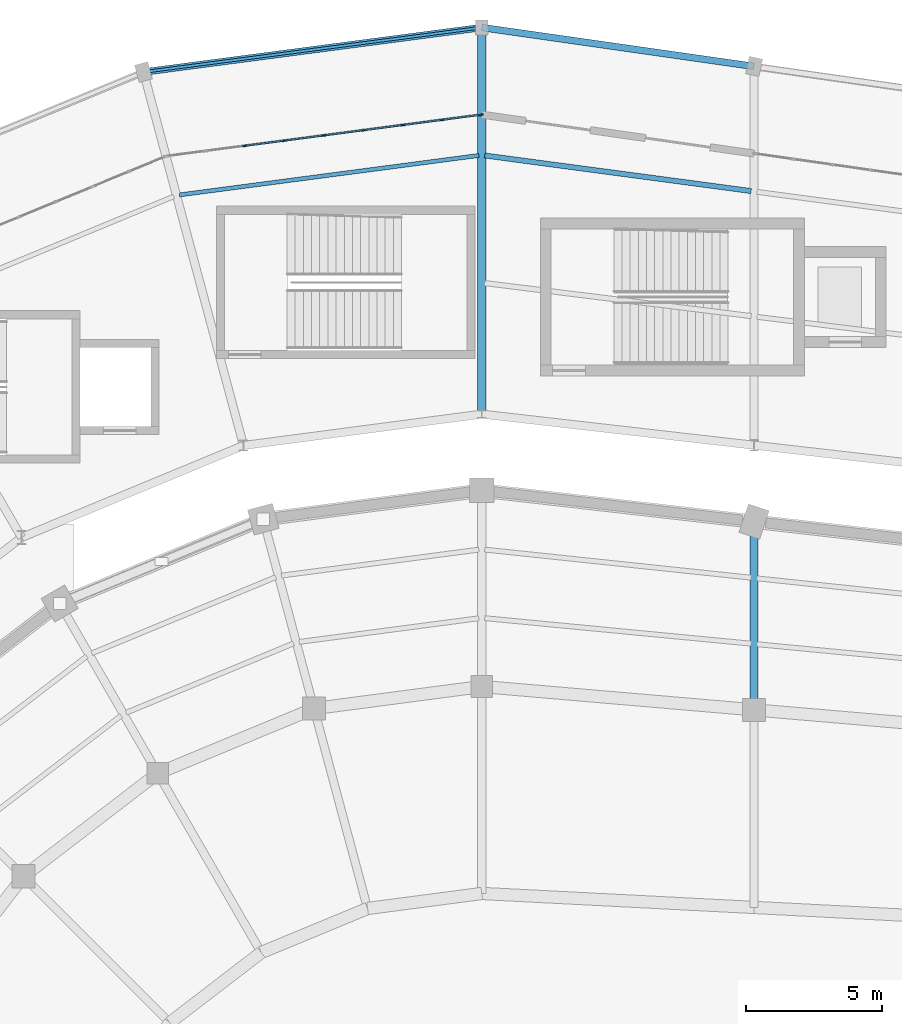
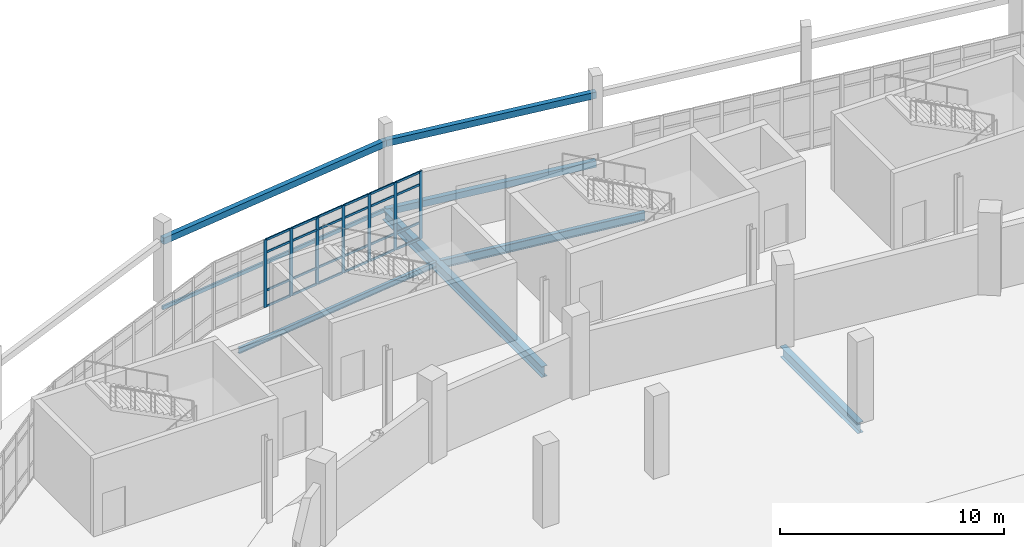
# One storey, part 58 of 122: 31 members, 8 beams, 1 element without a shape of its own.
"""IFC4 building model written with IfcOpenShell, lengths in metres."""

from ifc_helpers import new_model, si_unit, direction, frame, origin, origin_2d, place, context, subcontext, project, spatial, rectangle, hollow_rectangle, i_section, extrude, material, layer, layer_set, material_profile, profile_set, type_object, element, aggregate, save


model = new_model("IFC4")

# Units and contexts
model_context = context("Model", 3, precision=1e-05, world=origin(), true_north=direction((0.0, 1.0)))
body_context = subcontext(model_context, "Body", "Model", "MODEL_VIEW")
ifc_project = project(units=[si_unit("LENGTHUNIT", "METRE"), si_unit("AREAUNIT", "SQUARE_METRE"), si_unit("VOLUMEUNIT", "CUBIC_METRE"), si_unit("PLANEANGLEUNIT", "RADIAN"), si_unit("MASSUNIT", "GRAM", prefix="KILO")], contexts=[model_context])

# Site, building, storey
site_placement = place(None, origin())
site = spatial("IfcSite", under=ifc_project, at=site_placement, CompositionType="ELEMENT")
building_placement = place(site_placement, origin())
building = spatial("IfcBuilding", under=site, at=building_placement, Name="Sohan Crest Arena", CompositionType="ELEMENT")
storey_placement = place(building_placement, origin())
storey = spatial("IfcBuildingStorey", under=building, at=storey_placement, Name="L00", CompositionType="ELEMENT", Elevation=0.0)

# Curtain wall, members
ifc_material_1 = material(Name="Thermally broken anodised aluminium", Category="aluminium")
ifc_layer = layer(ifc_material_1, 0.179931640625, Name="Thermally broken anodised aluminium")
ifc_layer_set = layer_set([ifc_layer], Name="Thermally broken anodised aluminium")
curtain_wall_type = type_object("IfcCurtainWallType", Name="ARC-CW01", PredefinedType="NOTDEFINED", material=ifc_layer_set)
curtain_wall_placement = place(storey_placement, origin())
curtain_wall = element("IfcCurtainWall", 1, at=curtain_wall_placement, inside=storey, type_object=curtain_wall_type, Name="Unitised curtain wall CW-001", PredefinedType="NOTDEFINED")
ifc_material_profile_1 = material_profile(ifc_material_1, rectangle(XDim=0.06005859375, YDim=0.159912109375, at=origin_2d()), Name="ALU-MULL 60x160")
ifc_profile_set_1 = profile_set([ifc_material_profile_1], Name="Thermally broken anodised aluminium")
member_type_1 = type_object("IfcMemberType", Name="ARC-CW-ML01", PredefinedType="MULLION", material=ifc_profile_set_1)
member_1_placement = place(storey_placement, frame((97.97021484375, 122.796142578125, 0.0), z_axis=(0.0, 0.0, 1.0), x_axis=(0.13056731648, -0.991439446395, 0.0)))
member_1 = element("IfcMember", 2, at=member_1_placement, type_object=member_type_1, Name="CW-001 mullion 1", PredefinedType="MULLION", context=body_context, shape_type="SweptSolid", body=[
    extrude(rectangle(XDim=0.06005859375, YDim=0.159912109375, at=origin_2d()), origin(), (0.0, 0.0, 1.0), 3.679931640625),
])
member_2_placement = place(storey_placement, frame((96.550537109375, 122.609130859375, 0.0), z_axis=(0.0, 0.0, 1.0), x_axis=(0.13056731648, -0.991439446395, 0.0)))
member_2 = element("IfcMember", 3, at=member_2_placement, type_object=member_type_1, Name="CW-001 mullion 2", PredefinedType="MULLION", context=body_context, shape_type="SweptSolid", body=[
    extrude(rectangle(XDim=0.06005859375, YDim=0.159912109375, at=origin_2d()), origin(), (0.0, 0.0, 1.0), 3.679931640625),
])
member_3_placement = place(storey_placement, frame((95.101318359375, 122.418212890625, 0.0), z_axis=(0.0, 0.0, 1.0), x_axis=(0.13056731648, -0.991439446395, 0.0)))
member_3 = element("IfcMember", 4, at=member_3_placement, type_object=member_type_1, Name="CW-001 mullion 3", PredefinedType="MULLION", context=body_context, shape_type="SweptSolid", body=[
    extrude(rectangle(XDim=0.06005859375, YDim=0.159912109375, at=origin_2d()), origin(), (0.0, 0.0, 1.0), 3.679931640625),
])
member_4_placement = place(storey_placement, frame((93.65185546875, 122.227294921875, 0.0), z_axis=(0.0, 0.0, 1.0), x_axis=(0.13056731648, -0.991439446395, 0.0)))
member_4 = element("IfcMember", 5, at=member_4_placement, type_object=member_type_1, Name="CW-001 mullion 4", PredefinedType="MULLION", context=body_context, shape_type="SweptSolid", body=[
    extrude(rectangle(XDim=0.06005859375, YDim=0.159912109375, at=origin_2d()), origin(), (0.0, 0.0, 1.0), 3.679931640625),
])
member_5_placement = place(storey_placement, frame((92.202392578125, 122.03662109375, 0.0), z_axis=(0.0, 0.0, 1.0), x_axis=(0.13056731648, -0.991439446395, 0.0)))
member_5 = element("IfcMember", 6, at=member_5_placement, type_object=member_type_1, Name="CW-001 mullion 5", PredefinedType="MULLION", context=body_context, shape_type="SweptSolid", body=[
    extrude(rectangle(XDim=0.06005859375, YDim=0.159912109375, at=origin_2d()), origin(), (0.0, 0.0, 1.0), 3.679931640625),
])
member_6_placement = place(storey_placement, frame((90.753173828125, 121.845703125, 0.0), z_axis=(0.0, 0.0, 1.0), x_axis=(0.13056731648, -0.991439446395, 0.0)))
member_6 = element("IfcMember", 7, at=member_6_placement, type_object=member_type_1, Name="CW-001 mullion 6", PredefinedType="MULLION", context=body_context, shape_type="SweptSolid", body=[
    extrude(rectangle(XDim=0.06005859375, YDim=0.159912109375, at=origin_2d()), origin(), (0.0, 0.0, 1.0), 3.679931640625),
])
member_7_placement = place(storey_placement, frame((89.3037109375, 121.65478515625, 0.0), z_axis=(0.0, 0.0, 1.0), x_axis=(0.13056731648, -0.991439446395, 0.0)))
member_7 = element("IfcMember", 8, at=member_7_placement, type_object=member_type_1, Name="CW-001 mullion 7", PredefinedType="MULLION", context=body_context, shape_type="SweptSolid", body=[
    extrude(rectangle(XDim=0.06005859375, YDim=0.159912109375, at=origin_2d()), origin(), (0.0, 0.0, 1.0), 3.679931640625),
])
ifc_material_profile_2 = material_profile(ifc_material_1, rectangle(XDim=0.06005859375, YDim=0.1201171875, at=origin_2d()), Name="ALU-TRAN 60x120")
ifc_profile_set_2 = profile_set([ifc_material_profile_2], Name="Thermally broken anodised aluminium")
member_type_2 = type_object("IfcMemberType", Name="ARC-CW-TR01", PredefinedType="USERDEFINED", material=ifc_profile_set_2)
member_8_placement = place(storey_placement, frame((97.9404296875, 122.792236328125, 0.030029296875), z_axis=(-0.991431868961, -0.130624841468, 0.0), x_axis=(0.130624841468, -0.991431868961, 0.0)))
member_8 = element("IfcMember", 9, at=member_8_placement, type_object=member_type_2, Name="CW-001 transom 1.1", ObjectType="TRANSOM", PredefinedType="USERDEFINED", context=body_context, shape_type="SweptSolid", body=[
    extrude(rectangle(XDim=0.06005859375, YDim=0.1201171875, at=origin_2d()), origin(), (0.0, 0.0, 1.0), 1.371826171875),
])
member_9_placement = place(storey_placement, frame((97.9404296875, 122.792236328125, 0.89990234375), z_axis=(-0.991431868961, -0.130624841468, 0.0), x_axis=(0.130624841468, -0.991431868961, 0.0)))
member_9 = element("IfcMember", 10, at=member_9_placement, type_object=member_type_2, Name="CW-001 transom 1.2", ObjectType="TRANSOM", PredefinedType="USERDEFINED", context=body_context, shape_type="SweptSolid", body=[
    extrude(rectangle(XDim=0.06005859375, YDim=0.1201171875, at=origin_2d()), origin(), (0.0, 0.0, 1.0), 1.371826171875),
])
member_10_placement = place(storey_placement, frame((97.9404296875, 122.792236328125, 2.97998046875), z_axis=(-0.991431868961, -0.130624841468, 0.0), x_axis=(0.130624841468, -0.991431868961, 0.0)))
member_10 = element("IfcMember", 11, at=member_10_placement, type_object=member_type_2, Name="CW-001 transom 1.3", ObjectType="TRANSOM", PredefinedType="USERDEFINED", context=body_context, shape_type="SweptSolid", body=[
    extrude(rectangle(XDim=0.06005859375, YDim=0.1201171875, at=origin_2d()), origin(), (0.0, 0.0, 1.0), 1.371826171875),
])
member_11_placement = place(storey_placement, frame((97.9404296875, 122.792236328125, 3.64990234375), z_axis=(-0.991431868961, -0.130624841468, 0.0), x_axis=(0.130624841468, -0.991431868961, 0.0)))
member_11 = element("IfcMember", 12, at=member_11_placement, type_object=member_type_2, Name="CW-001 transom 1.4", ObjectType="TRANSOM", PredefinedType="USERDEFINED", context=body_context, shape_type="SweptSolid", body=[
    extrude(rectangle(XDim=0.06005859375, YDim=0.1201171875, at=origin_2d()), origin(), (0.0, 0.0, 1.0), 1.371826171875),
])
member_12_placement = place(storey_placement, frame((96.52099609375, 122.605224609375, 0.030029296875), z_axis=(-0.9914335368, -0.130612182083, 0.0), x_axis=(0.130612182083, -0.9914335368, 0.0)))
member_12 = element("IfcMember", 13, at=member_12_placement, type_object=member_type_2, Name="CW-001 transom 2.1", ObjectType="TRANSOM", PredefinedType="USERDEFINED", context=body_context, shape_type="SweptSolid", body=[
    extrude(rectangle(XDim=0.06005859375, YDim=0.1201171875, at=origin_2d()), origin(), (0.0, 0.0, 1.0), 1.40185546875),
])
member_13_placement = place(storey_placement, frame((96.52099609375, 122.605224609375, 0.89990234375), z_axis=(-0.9914335368, -0.130612182083, 0.0), x_axis=(0.130612182083, -0.9914335368, 0.0)))
member_13 = element("IfcMember", 14, at=member_13_placement, type_object=member_type_2, Name="CW-001 transom 2.2", ObjectType="TRANSOM", PredefinedType="USERDEFINED", context=body_context, shape_type="SweptSolid", body=[
    extrude(rectangle(XDim=0.06005859375, YDim=0.1201171875, at=origin_2d()), origin(), (0.0, 0.0, 1.0), 1.40185546875),
])
member_14_placement = place(storey_placement, frame((96.52099609375, 122.605224609375, 2.97998046875), z_axis=(-0.9914335368, -0.130612182083, 0.0), x_axis=(0.130612182083, -0.9914335368, 0.0)))
member_14 = element("IfcMember", 15, at=member_14_placement, type_object=member_type_2, Name="CW-001 transom 2.3", ObjectType="TRANSOM", PredefinedType="USERDEFINED", context=body_context, shape_type="SweptSolid", body=[
    extrude(rectangle(XDim=0.06005859375, YDim=0.1201171875, at=origin_2d()), origin(), (0.0, 0.0, 1.0), 1.40185546875),
])
member_15_placement = place(storey_placement, frame((96.52099609375, 122.605224609375, 3.64990234375), z_axis=(-0.9914335368, -0.130612182083, 0.0), x_axis=(0.130612182083, -0.9914335368, 0.0)))
member_15 = element("IfcMember", 16, at=member_15_placement, type_object=member_type_2, Name="CW-001 transom 2.4", ObjectType="TRANSOM", PredefinedType="USERDEFINED", context=body_context, shape_type="SweptSolid", body=[
    extrude(rectangle(XDim=0.06005859375, YDim=0.1201171875, at=origin_2d()), origin(), (0.0, 0.0, 1.0), 1.40185546875),
])
member_16_placement = place(storey_placement, frame((95.071533203125, 122.414306640625, 0.030029296875), z_axis=(-0.9914335368, -0.130612182083, 0.0), x_axis=(0.130612182083, -0.9914335368, 0.0)))
member_16 = element("IfcMember", 17, at=member_16_placement, type_object=member_type_2, Name="CW-001 transom 3.1", ObjectType="TRANSOM", PredefinedType="USERDEFINED", context=body_context, shape_type="SweptSolid", body=[
    extrude(rectangle(XDim=0.06005859375, YDim=0.1201171875, at=origin_2d()), origin(), (0.0, 0.0, 1.0), 1.40185546875),
])
member_17_placement = place(storey_placement, frame((95.071533203125, 122.414306640625, 0.89990234375), z_axis=(-0.9914335368, -0.130612182083, 0.0), x_axis=(0.130612182083, -0.9914335368, 0.0)))
member_17 = element("IfcMember", 18, at=member_17_placement, type_object=member_type_2, Name="CW-001 transom 3.2", ObjectType="TRANSOM", PredefinedType="USERDEFINED", context=body_context, shape_type="SweptSolid", body=[
    extrude(rectangle(XDim=0.06005859375, YDim=0.1201171875, at=origin_2d()), origin(), (0.0, 0.0, 1.0), 1.40185546875),
])
member_18_placement = place(storey_placement, frame((95.071533203125, 122.414306640625, 2.97998046875), z_axis=(-0.9914335368, -0.130612182083, 0.0), x_axis=(0.130612182083, -0.9914335368, 0.0)))
member_18 = element("IfcMember", 19, at=member_18_placement, type_object=member_type_2, Name="CW-001 transom 3.3", ObjectType="TRANSOM", PredefinedType="USERDEFINED", context=body_context, shape_type="SweptSolid", body=[
    extrude(rectangle(XDim=0.06005859375, YDim=0.1201171875, at=origin_2d()), origin(), (0.0, 0.0, 1.0), 1.40185546875),
])
member_19_placement = place(storey_placement, frame((95.071533203125, 122.414306640625, 3.64990234375), z_axis=(-0.9914335368, -0.130612182083, 0.0), x_axis=(0.130612182083, -0.9914335368, 0.0)))
member_19 = element("IfcMember", 20, at=member_19_placement, type_object=member_type_2, Name="CW-001 transom 3.4", ObjectType="TRANSOM", PredefinedType="USERDEFINED", context=body_context, shape_type="SweptSolid", body=[
    extrude(rectangle(XDim=0.06005859375, YDim=0.1201171875, at=origin_2d()), origin(), (0.0, 0.0, 1.0), 1.40185546875),
])
member_20_placement = place(storey_placement, frame((93.6220703125, 122.223388671875, 0.030029296875), z_axis=(-0.991456073737, -0.130440997581, 0.0), x_axis=(0.130440997581, -0.991456073737, 0.0)))
member_20 = element("IfcMember", 21, at=member_20_placement, type_object=member_type_2, Name="CW-001 transom 4.1", ObjectType="TRANSOM", PredefinedType="USERDEFINED", context=body_context, shape_type="SweptSolid", body=[
    extrude(rectangle(XDim=0.06005859375, YDim=0.1201171875, at=origin_2d()), origin(), (0.0, 0.0, 1.0), 1.40185546875),
])
member_21_placement = place(storey_placement, frame((93.6220703125, 122.223388671875, 0.89990234375), z_axis=(-0.991456073737, -0.130440997581, 0.0), x_axis=(0.130440997581, -0.991456073737, 0.0)))
member_21 = element("IfcMember", 22, at=member_21_placement, type_object=member_type_2, Name="CW-001 transom 4.2", ObjectType="TRANSOM", PredefinedType="USERDEFINED", context=body_context, shape_type="SweptSolid", body=[
    extrude(rectangle(XDim=0.06005859375, YDim=0.1201171875, at=origin_2d()), origin(), (0.0, 0.0, 1.0), 1.40185546875),
])
member_22_placement = place(storey_placement, frame((93.6220703125, 122.223388671875, 2.97998046875), z_axis=(-0.991456073737, -0.130440997581, 0.0), x_axis=(0.130440997581, -0.991456073737, 0.0)))
member_22 = element("IfcMember", 23, at=member_22_placement, type_object=member_type_2, Name="CW-001 transom 4.3", ObjectType="TRANSOM", PredefinedType="USERDEFINED", context=body_context, shape_type="SweptSolid", body=[
    extrude(rectangle(XDim=0.06005859375, YDim=0.1201171875, at=origin_2d()), origin(), (0.0, 0.0, 1.0), 1.40185546875),
])
member_23_placement = place(storey_placement, frame((93.6220703125, 122.223388671875, 3.64990234375), z_axis=(-0.991456073737, -0.130440997581, 0.0), x_axis=(0.130440997581, -0.991456073737, 0.0)))
member_23 = element("IfcMember", 24, at=member_23_placement, type_object=member_type_2, Name="CW-001 transom 4.4", ObjectType="TRANSOM", PredefinedType="USERDEFINED", context=body_context, shape_type="SweptSolid", body=[
    extrude(rectangle(XDim=0.06005859375, YDim=0.1201171875, at=origin_2d()), origin(), (0.0, 0.0, 1.0), 1.40185546875),
])
member_24_placement = place(storey_placement, frame((92.1728515625, 122.032470703125, 0.030029296875), z_axis=(-0.991456073737, -0.130440997581, 0.0), x_axis=(0.130440997581, -0.991456073737, 0.0)))
member_24 = element("IfcMember", 25, at=member_24_placement, type_object=member_type_2, Name="CW-001 transom 5.1", ObjectType="TRANSOM", PredefinedType="USERDEFINED", context=body_context, shape_type="SweptSolid", body=[
    extrude(rectangle(XDim=0.06005859375, YDim=0.1201171875, at=origin_2d()), origin(), (0.0, 0.0, 1.0), 1.40185546875),
])
member_25_placement = place(storey_placement, frame((92.1728515625, 122.032470703125, 0.89990234375), z_axis=(-0.991456073737, -0.130440997581, 0.0), x_axis=(0.130440997581, -0.991456073737, 0.0)))
member_25 = element("IfcMember", 26, at=member_25_placement, type_object=member_type_2, Name="CW-001 transom 5.2", ObjectType="TRANSOM", PredefinedType="USERDEFINED", context=body_context, shape_type="SweptSolid", body=[
    extrude(rectangle(XDim=0.06005859375, YDim=0.1201171875, at=origin_2d()), origin(), (0.0, 0.0, 1.0), 1.40185546875),
])
member_26_placement = place(storey_placement, frame((92.1728515625, 122.032470703125, 2.97998046875), z_axis=(-0.991456073737, -0.130440997581, 0.0), x_axis=(0.130440997581, -0.991456073737, 0.0)))
member_26 = element("IfcMember", 27, at=member_26_placement, type_object=member_type_2, Name="CW-001 transom 5.3", ObjectType="TRANSOM", PredefinedType="USERDEFINED", context=body_context, shape_type="SweptSolid", body=[
    extrude(rectangle(XDim=0.06005859375, YDim=0.1201171875, at=origin_2d()), origin(), (0.0, 0.0, 1.0), 1.40185546875),
])
member_27_placement = place(storey_placement, frame((92.1728515625, 122.032470703125, 3.64990234375), z_axis=(-0.991456073737, -0.130440997581, 0.0), x_axis=(0.130440997581, -0.991456073737, 0.0)))
member_27 = element("IfcMember", 28, at=member_27_placement, type_object=member_type_2, Name="CW-001 transom 5.4", ObjectType="TRANSOM", PredefinedType="USERDEFINED", context=body_context, shape_type="SweptSolid", body=[
    extrude(rectangle(XDim=0.06005859375, YDim=0.1201171875, at=origin_2d()), origin(), (0.0, 0.0, 1.0), 1.40185546875),
])
member_28_placement = place(storey_placement, frame((90.723388671875, 121.841796875, 0.030029296875), z_axis=(-0.9914335368, -0.130612182083, 0.0), x_axis=(0.130612182083, -0.9914335368, 0.0)))
member_28 = element("IfcMember", 29, at=member_28_placement, type_object=member_type_2, Name="CW-001 transom 6.1", ObjectType="TRANSOM", PredefinedType="USERDEFINED", context=body_context, shape_type="SweptSolid", body=[
    extrude(rectangle(XDim=0.06005859375, YDim=0.1201171875, at=origin_2d()), origin(), (0.0, 0.0, 1.0), 1.40185546875),
])
member_29_placement = place(storey_placement, frame((90.723388671875, 121.841796875, 0.89990234375), z_axis=(-0.9914335368, -0.130612182083, 0.0), x_axis=(0.130612182083, -0.9914335368, 0.0)))
member_29 = element("IfcMember", 30, at=member_29_placement, type_object=member_type_2, Name="CW-001 transom 6.2", ObjectType="TRANSOM", PredefinedType="USERDEFINED", context=body_context, shape_type="SweptSolid", body=[
    extrude(rectangle(XDim=0.06005859375, YDim=0.1201171875, at=origin_2d()), origin(), (0.0, 0.0, 1.0), 1.40185546875),
])
member_30_placement = place(storey_placement, frame((90.723388671875, 121.841796875, 2.97998046875), z_axis=(-0.9914335368, -0.130612182083, 0.0), x_axis=(0.130612182083, -0.9914335368, 0.0)))
member_30 = element("IfcMember", 31, at=member_30_placement, type_object=member_type_2, Name="CW-001 transom 6.3", ObjectType="TRANSOM", PredefinedType="USERDEFINED", context=body_context, shape_type="SweptSolid", body=[
    extrude(rectangle(XDim=0.06005859375, YDim=0.1201171875, at=origin_2d()), origin(), (0.0, 0.0, 1.0), 1.40185546875),
])
member_31_placement = place(storey_placement, frame((90.723388671875, 121.841796875, 3.64990234375), z_axis=(-0.9914335368, -0.130612182083, 0.0), x_axis=(0.130612182083, -0.9914335368, 0.0)))
member_31 = element("IfcMember", 32, at=member_31_placement, type_object=member_type_2, Name="CW-001 transom 6.4", ObjectType="TRANSOM", PredefinedType="USERDEFINED", context=body_context, shape_type="SweptSolid", body=[
    extrude(rectangle(XDim=0.06005859375, YDim=0.1201171875, at=origin_2d()), origin(), (0.0, 0.0, 1.0), 1.40185546875),
])
aggregate(curtain_wall, [member_1, member_2, member_3, member_4, member_5, member_6, member_7, member_8, member_9, member_10, member_11, member_12, member_13, member_14, member_15, member_16, member_17, member_18, member_19, member_20, member_21, member_22, member_23, member_24, member_25, member_26, member_27, member_28, member_29, member_30, member_31])

# Beams
ifc_material_2 = material(Name="Steel S355", Category="steel")
ifc_material_profile_3 = material_profile(ifc_material_2, i_section(OverallWidth=0.14990234375, OverallDepth=0.300048828125, WebThickness=0.007080078125, FlangeThickness=0.0107421875, at=origin_2d()), Name="IPE 300")
ifc_profile_set_3 = profile_set([ifc_material_profile_3], Name="Steel S355")
beam_type_1 = type_object("IfcBeamType", Name="STR-BM-B01", PredefinedType="JOIST", material=ifc_profile_set_3)
beam_1_placement = place(storey_placement, frame((97.89111328125, 121.300048828125, -0.425048828125), z_axis=(-0.991434947697, -0.130601471988, 0.0), x_axis=(0.130601471988, -0.991434947697, 0.0)))
element("IfcBeam", 33, at=beam_1_placement, inside=storey, type_object=beam_type_1, Name="Structural beam J-L00-0905", PredefinedType="JOIST", context=body_context, shape_type="SweptSolid", body=[
    extrude(i_section(OverallWidth=0.14990234375, OverallDepth=0.300048828125, WebThickness=0.007080078125, FlangeThickness=0.0107421875, at=origin_2d()), origin(), (0.0, 0.0, 1.0), 11.087158203125),
])
ifc_material_profile_4 = material_profile(ifc_material_2, i_section(OverallWidth=0.18994140625, OverallDepth=0.449951171875, WebThickness=0.009521484375, FlangeThickness=0.0146484375, at=origin_2d()), Name="IPE 450")
ifc_profile_set_4 = profile_set([ifc_material_profile_4], Name="Steel S355")
beam_type_2 = type_object("IfcBeamType", Name="STR-BM-B04", PredefinedType="JOIST", material=ifc_profile_set_4)
beam_2_placement = place(storey_placement, frame((107.89111328125, 119.993896484375, -0.5), z_axis=(-0.991216229825, 0.132251222039, 0.0), x_axis=(-0.132251222039, -0.991216229825, 0.0)))
element("IfcBeam", 34, at=beam_2_placement, inside=storey, type_object=beam_type_2, Name="Structural beam J-L00-1090", PredefinedType="JOIST", context=body_context, shape_type="SweptSolid", body=[
    extrude(i_section(OverallWidth=0.18994140625, OverallDepth=0.449951171875, WebThickness=0.009521484375, FlangeThickness=0.0146484375, at=origin_2d()), origin(), (0.0, 0.0, 1.0), 9.868896484375),
])
ifc_material_profile_5 = material_profile(ifc_material_2, i_section(OverallWidth=0.300048828125, OverallDepth=0.590087890625, WebThickness=0.012939453125, FlangeThickness=0.02490234375, at=origin_2d()), Name="HEA 600")
ifc_profile_set_5 = profile_set([ifc_material_profile_5], Name="Steel S355")
beam_type_3 = type_object("IfcBeamType", Name="STR-BM-B11", PredefinedType="BEAM", material=ifc_profile_set_5)
beam_3_placement = place(storey_placement, frame((108.0, 100.943115234375, -0.544921875), z_axis=(0.0, 1.0, 0.0), x_axis=(-1.0, 0.0, 0.0)))
element("IfcBeam", 35, at=beam_3_placement, inside=storey, type_object=beam_type_3, Name="Structural beam G-L00-0793", PredefinedType="BEAM", context=body_context, shape_type="SweptSolid", body=[
    extrude(i_section(OverallWidth=0.300048828125, OverallDepth=0.590087890625, WebThickness=0.012939453125, FlangeThickness=0.02490234375, at=origin_2d()), origin(), (0.0, 0.0, 1.0), 6.913818359375),
])
beam_4_placement = place(storey_placement, frame((98.0, 111.800048828125, -0.570068359375), z_axis=(0.0, 1.0, 0.0), x_axis=(-1.0, 0.0, 0.0)))
element("IfcBeam", 36, at=beam_4_placement, inside=storey, type_object=beam_type_3, Name="Structural beam G-L00-0901", PredefinedType="BEAM", context=body_context, shape_type="SweptSolid", body=[
    extrude(i_section(OverallWidth=0.300048828125, OverallDepth=0.590087890625, WebThickness=0.012939453125, FlangeThickness=0.02490234375, at=origin_2d()), origin(), (0.0, 0.0, 1.0), 14.199951171875),
])
ifc_material_profile_6 = material_profile(ifc_material_2, hollow_rectangle(XDim=0.10009765625, YDim=0.199951171875, WallThickness=0.008056640625, at=origin_2d()), Name="RHS 200x100x8")
ifc_profile_set_6 = profile_set([ifc_material_profile_6], Name="Steel S355")
beam_type_4 = type_object("IfcBeamType", Name="STR-BM-SP01", PredefinedType="SPANDREL", material=ifc_profile_set_6)
beam_5_placement = place(storey_placement, frame((98.0, 126.0, -0.375), z_axis=(-0.991440164207, -0.130561865783, 0.0), x_axis=(0.130561865783, -0.991440164207, 0.0)))
element("IfcBeam", 37, at=beam_5_placement, inside=storey, type_object=beam_type_4, Name="Structural beam SP-L00-0903", PredefinedType="SPANDREL", context=body_context, shape_type="SweptSolid", body=[
    extrude(hollow_rectangle(XDim=0.10009765625, YDim=0.199951171875, WallThickness=0.008056640625, at=origin_2d()), origin(), (0.0, 0.0, 1.0), 12.5302734375),
])
ifc_material_profile_7 = material_profile(ifc_material_2, hollow_rectangle(XDim=0.25, YDim=0.35009765625, WallThickness=0.012451171875, at=origin_2d()), Name="RHS 350x250x12.5")
ifc_profile_set_7 = profile_set([ifc_material_profile_7], Name="Steel S355")
beam_type_5 = type_object("IfcBeamType", Name="STR-BM-SP04", PredefinedType="SPANDREL", material=ifc_profile_set_7)
beam_6_placement = place(storey_placement, frame((98.0, 126.0, 3.300048828125), z_axis=(-0.991440164207, -0.130561865783, 0.0), x_axis=(0.130561865783, -0.991440164207, 0.0)))
element("IfcBeam", 38, at=beam_6_placement, inside=storey, type_object=beam_type_5, Name="Structural beam ARC-L00-0904", PredefinedType="SPANDREL", context=body_context, shape_type="SweptSolid", body=[
    extrude(hollow_rectangle(XDim=0.25, YDim=0.35009765625, WallThickness=0.012451171875, at=origin_2d()), origin(), (0.0, 0.0, 1.0), 12.5302734375),
])
for number, where, z_axis, x_axis, name in (
    (39, (108.0, 124.571044921875, -0.449951171875), (-0.989944175879, 0.141458575718, 0.0), (-0.141458575718, -0.989944175879, 0.0), "Structural beam SP-L00-1087"),
    (40, (108.0, 124.571044921875, 3.300048828125), (-0.989944175879, 0.141458575718, 0.0), (-0.141458575718, -0.989944175879, 0.0), "Structural beam ARC-L00-1088"),
):
    element("IfcBeam", number, at=place(storey_placement, frame(where, z_axis=z_axis, x_axis=x_axis)), inside=storey, type_object=beam_type_5, Name=name, PredefinedType="SPANDREL", context=body_context, shape_type="SweptSolid", body=[
        extrude(hollow_rectangle(XDim=0.25, YDim=0.35009765625, WallThickness=0.012451171875, at=origin_2d()), origin(), (0.0, 0.0, 1.0), 10.1015625),
    ])

save(model, "model.ifc")
